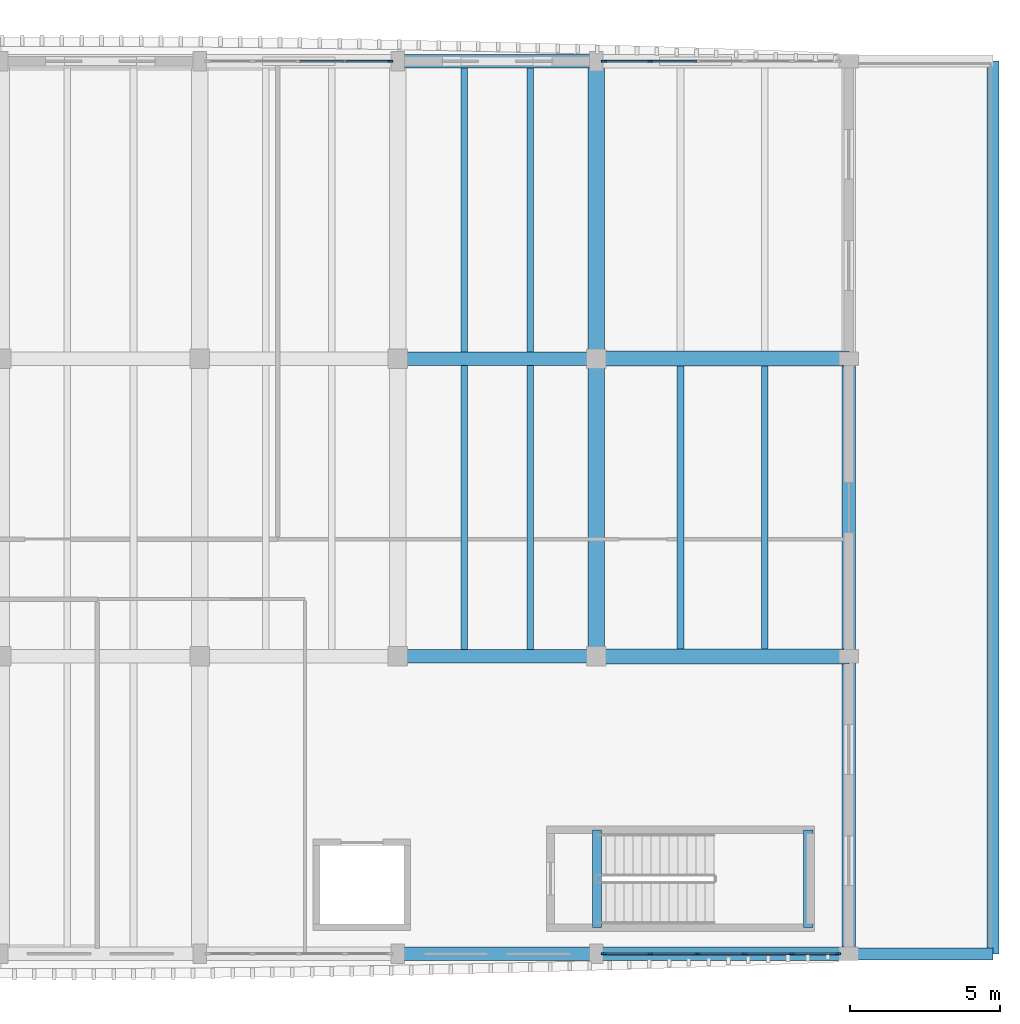
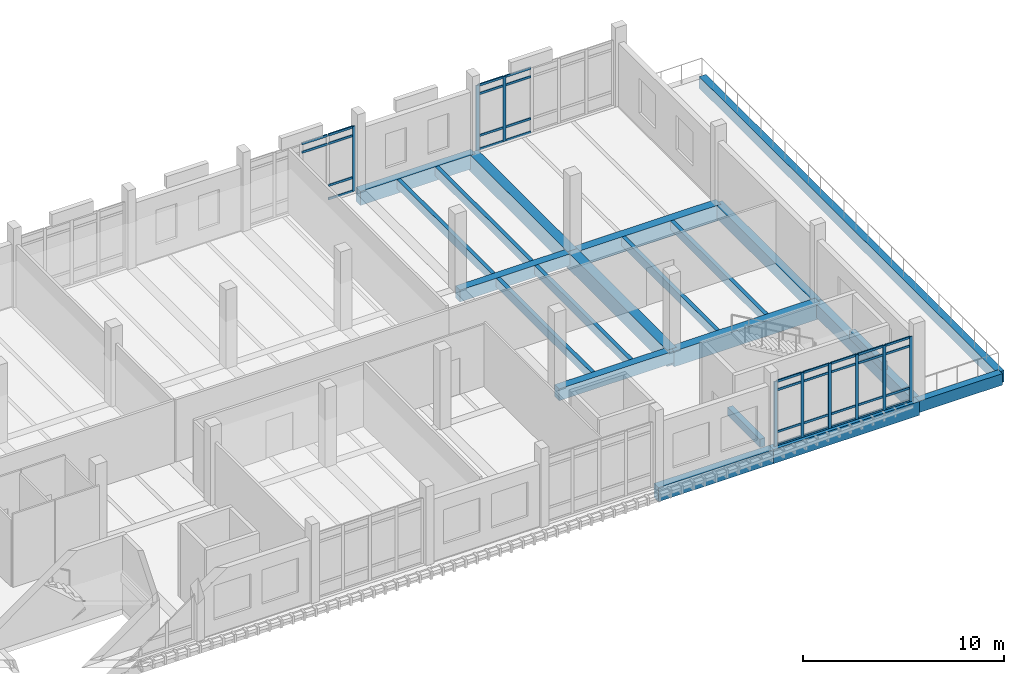
# One storey, part 12 of 39: 43 members, 21 beams, 3 elements without a shape of their own.
"""IFC4 building model written with IfcOpenShell, lengths in metres."""

from ifc_helpers import new_model, si_unit, direction, frame, origin, origin_2d, place, context, subcontext, project, spatial, rectangle, extrude, material, material_profile, profile_set, type_object, element, aggregate, save


model = new_model("IFC4")

# Units and contexts
model_context = context("Model", 3, precision=1e-05, world=origin(), true_north=direction((0.0, 1.0)))
body_context = subcontext(model_context, "Body", "Model", "MODEL_VIEW")
ifc_project = project(units=[si_unit("LENGTHUNIT", "METRE"), si_unit("AREAUNIT", "SQUARE_METRE"), si_unit("VOLUMEUNIT", "CUBIC_METRE"), si_unit("PLANEANGLEUNIT", "RADIAN"), si_unit("MASSUNIT", "GRAM", prefix="KILO")], contexts=[model_context])

# Site, building, storey
site_placement = place(None, origin())
site = spatial("IfcSite", under=ifc_project, at=site_placement, CompositionType="ELEMENT")
building_placement = place(site_placement, origin())
building = spatial("IfcBuilding", under=site, at=building_placement, Name="Dornvale Research Institute", CompositionType="ELEMENT")
storey_placement = place(building_placement, frame((0.0, 0.0, 24.60009765625)))
storey = spatial("IfcBuildingStorey", under=building, at=storey_placement, Name="L05", CompositionType="ELEMENT", Elevation=24.60009765625)

# Beams
ifc_material_1 = material(Name="Concrete f'c 45 MPa (C35/45)", Category="concrete")
ifc_material_profile_1 = material_profile(ifc_material_1, rectangle(XDim=0.300048828125, YDim=0.5, at=origin_2d()), Name="RC 300x500")
ifc_profile_set_1 = profile_set([ifc_material_profile_1], Name="Concrete f'c 45 MPa (C35/45)")
beam_type_1 = type_object("IfcBeamType", Name="Beam_RC300x500_Trim", PredefinedType="BEAM", material=ifc_profile_set_1)
for number, where, z_axis, x_axis, name in (
    (1, (165.02001953125, 93.280029296875, -0.25), (0.0, 1.0, 0.0), (-1.0, 0.0, 0.0), "L05 ST-4 stair landing trimmer beam #67"),
    (2, (172.050048828125, 93.280029296875, 1.949951171875), (0.0, 1.0, 0.0), (-1.0, 0.0, 0.0), "L05 ST-4 half-landing support beam #76"),
):
    element("IfcBeam", number, at=place(storey_placement, frame(where, z_axis=z_axis, x_axis=x_axis)), inside=storey, type_object=beam_type_1, Name=name, PredefinedType="BEAM", context=body_context, shape_type="SweptSolid", body=[
        extrude(rectangle(XDim=0.300048828125, YDim=0.5, at=origin_2d()), origin(), (0.0, 0.0, 1.0), 3.239990234375),
    ])
ifc_material_2 = material(Name="Concrete f'c 45 MPa (C35/45)", Category="concrete")
ifc_material_profile_2 = material_profile(ifc_material_2, rectangle(XDim=0.449951171875, YDim=0.715087890625, at=origin_2d()), Name="RC 450x715")
ifc_profile_set_2 = profile_set([ifc_material_profile_2], Name="Concrete f'c 45 MPa (C35/45)")
beam_type_2 = type_object("IfcBeamType", Name="Beam_RC450x715_Lab", PredefinedType="BEAM", material=ifc_profile_set_2)
for number, where, z_axis, x_axis, name in (
    (3, (158.39990234375, 102.300048828125, -0.357666015625), (1.0, 0.0, 0.0), (0.0, 1.0, 0.0), "L05 primary girder #1395"),
    (4, (158.39990234375, 112.199951171875, -0.357666015625), (1.0, 0.0, 0.0), (0.0, 1.0, 0.0), "L05 primary girder #1403"),
):
    element("IfcBeam", number, at=place(storey_placement, frame(where, z_axis=z_axis, x_axis=x_axis)), inside=storey, type_object=beam_type_2, Name=name, PredefinedType="BEAM", context=body_context, shape_type="SweptSolid", body=[
        extrude(rectangle(XDim=0.449951171875, YDim=0.715087890625, at=origin_2d()), origin(), (0.0, 0.0, 1.0), 6.60009765625),
    ])
ifc_material_3 = material(Name="Concrete f'c 45 MPa (C35/45)", Category="concrete")
ifc_material_profile_3 = material_profile(ifc_material_3, rectangle(XDim=0.5, YDim=0.949951171875, at=origin_2d()), Name="RC 500x950")
ifc_profile_set_3 = profile_set([ifc_material_profile_3], Name="Concrete f'c 45 MPa (C35/45)")
beam_type_3 = type_object("IfcBeamType", Name="Beam_RC500x950_Girder", PredefinedType="BEAM", material=ifc_profile_set_3)
for number, where, z_axis, x_axis, name in (
    (5, (165.0, 102.300048828125, -0.47509765625), (1.0, 0.0, 0.0), (0.0, 1.0, 0.0), "L05 primary girder #1396"),
    (6, (165.0, 112.199951171875, -0.47509765625), (1.0, 0.0, 0.0), (0.0, 1.0, 0.0), "L05 primary girder #1404"),
):
    element("IfcBeam", number, at=place(storey_placement, frame(where, z_axis=z_axis, x_axis=x_axis)), inside=storey, type_object=beam_type_3, Name=name, PredefinedType="BEAM", context=body_context, shape_type="SweptSolid", body=[
        extrude(rectangle(XDim=0.5, YDim=0.949951171875, at=origin_2d()), origin(), (0.0, 0.0, 1.0), 8.39990234375),
    ])
ifc_material_4 = material(Name="Concrete f'c 45 MPa (C35/45)", Category="concrete")
ifc_material_profile_4 = material_profile(ifc_material_4, rectangle(XDim=0.550048828125, YDim=1.0, at=origin_2d()), Name="RC 550x1000")
ifc_profile_set_4 = profile_set([ifc_material_profile_4], Name="Concrete f'c 45 MPa (C35/45)")
beam_type_4 = type_object("IfcBeamType", Name="Beam_RC550x1000_Girder", PredefinedType="BEAM", material=ifc_profile_set_4)
beam_1_placement = place(storey_placement, frame((165.0, 102.300048828125, -0.5), z_axis=(0.0, 1.0, 0.0), x_axis=(-1.0, 0.0, 0.0)))
element("IfcBeam", 7, at=beam_1_placement, inside=storey, type_object=beam_type_4, Name="L05 transverse girder #1432", PredefinedType="BEAM", context=body_context, shape_type="SweptSolid", body=[
    extrude(rectangle(XDim=0.550048828125, YDim=1.0, at=origin_2d()), origin(), (0.0, 0.0, 1.0), 9.89990234375),
])
beam_2_placement = place(storey_placement, frame((165.0, 112.199951171875, -0.5), z_axis=(0.0, 1.0, 0.0), x_axis=(-1.0, 0.0, 0.0)))
element("IfcBeam", 8, at=beam_2_placement, inside=storey, type_object=beam_type_4, Name="L05 transverse girder #1433", PredefinedType="BEAM", context=body_context, shape_type="SweptSolid", body=[
    extrude(rectangle(XDim=0.550048828125, YDim=1.0, at=origin_2d()), origin(), (0.0, 0.0, 1.0), 9.900146484375),
])
ifc_material_5 = material(Name="Concrete f'c 45 MPa (C35/45)", Category="concrete")
ifc_material_profile_5 = material_profile(ifc_material_5, rectangle(XDim=0.219970703125, YDim=0.534912109375, at=origin_2d()), Name="RC 220x535")
ifc_profile_set_5 = profile_set([ifc_material_profile_5], Name="Concrete f'c 45 MPa (C35/45)")
beam_type_5 = type_object("IfcBeamType", Name="Joist_RC220x535_Waffle", PredefinedType="JOIST", material=ifc_profile_set_5)
for number, where, z_axis, x_axis, name in (
    (9, (160.60009765625, 102.52490234375, -0.267578125), (0.0, 1.0, 0.0), (-1.0, 0.0, 0.0), "L05 laboratory waffle joist #686"),
    (10, (162.800048828125, 102.52490234375, -0.267578125), (0.0, 1.0, 0.0), (-1.0, 0.0, 0.0), "L05 laboratory waffle joist #687"),
):
    element("IfcBeam", number, at=place(storey_placement, frame(where, z_axis=z_axis, x_axis=x_axis)), inside=storey, type_object=beam_type_5, Name=name, PredefinedType="JOIST", context=body_context, shape_type="SweptSolid", body=[
        extrude(rectangle(XDim=0.219970703125, YDim=0.534912109375, at=origin_2d()), origin(), (0.0, 0.0, 1.0), 9.4501953125),
    ])
for number, where, z_axis, x_axis, name in (
    (11, (160.60009765625, 112.425048828125, -0.267578125), (0.0, 1.0, 0.0), (-1.0, 0.0, 0.0), "L05 laboratory waffle joist #688"),
    (12, (162.800048828125, 112.425048828125, -0.267578125), (0.0, 1.0, 0.0), (-1.0, 0.0, 0.0), "L05 laboratory waffle joist #689"),
):
    element("IfcBeam", number, at=place(storey_placement, frame(where, z_axis=z_axis, x_axis=x_axis)), inside=storey, type_object=beam_type_5, Name=name, PredefinedType="JOIST", context=body_context, shape_type="SweptSolid", body=[
        extrude(rectangle(XDim=0.219970703125, YDim=0.534912109375, at=origin_2d()), origin(), (0.0, 0.0, 1.0), 9.449951171875),
    ])
for number, where, z_axis, x_axis, name in (
    (13, (167.800048828125, 102.550048828125, -0.267578125), (0.0, 1.0, 0.0), (-1.0, 0.0, 0.0), "L05 laboratory waffle joist #690"),
    (14, (170.60009765625, 102.550048828125, -0.267578125), (0.0, 1.0, 0.0), (-1.0, 0.0, 0.0), "L05 laboratory waffle joist #691"),
):
    element("IfcBeam", number, at=place(storey_placement, frame(where, z_axis=z_axis, x_axis=x_axis)), inside=storey, type_object=beam_type_5, Name=name, PredefinedType="JOIST", context=body_context, shape_type="SweptSolid", body=[
        extrude(rectangle(XDim=0.219970703125, YDim=0.534912109375, at=origin_2d()), origin(), (0.0, 0.0, 1.0), 9.39990234375),
    ])

# Curtain wall, member
ifc_material_6 = material(Name="Low-E Argon Double Insulating Glazing Unit", Category="glass")
curtain_wall_type_1 = type_object("IfcCurtainWallType", Name="UnitisedCurtainWall_V4_6150x3950", PredefinedType="USERDEFINED", material=ifc_material_6)
curtain_wall_1_placement = place(storey_placement, origin())
curtain_wall_1 = element("IfcCurtainWall", 15, at=curtain_wall_1_placement, inside=storey, type_object=curtain_wall_type_1, Name="L05 V4 unitised curtain wall CW-15 #111", ObjectType="UNITISED CURTAIN WALL", PredefinedType="USERDEFINED")
ifc_material_7 = material(Name="Anodized Aluminum AA 6063-T6 Thermally Broken Frame", Category="aluminium")
ifc_material_profile_6 = material_profile(ifc_material_7, rectangle(XDim=0.06494140625, YDim=0.179931640625, at=origin_2d()), Name="ALU MULLION 65x180")
ifc_profile_set_6 = profile_set([ifc_material_profile_6], Name="Anodized Aluminum AA 6063-T6 Thermally Broken Frame")
member_type_1 = type_object("IfcMemberType", Name="Mullion_CW_65x180", PredefinedType="MULLION", material=ifc_profile_set_6)
member_1_placement = place(storey_placement, frame((158.142578125, 122.10009765625, 0.0), z_axis=(0.0, 0.0, 1.0), x_axis=(0.0, 1.0, 0.0)))
member_1 = element("IfcMember", 16, at=member_1_placement, type_object=member_type_1, Name="CW-15 mullion 5", PredefinedType="MULLION", context=body_context, shape_type="SweptSolid", body=[
    extrude(rectangle(XDim=0.06494140625, YDim=0.179931640625, at=origin_2d()), origin(), (0.0, 0.0, 1.0), 3.949951171875),
])

# Curtain wall, members
ifc_material_8 = material(Name="Low-E Argon Double Insulating Glazing Unit", Category="glass")
curtain_wall_type_2 = type_object("IfcCurtainWallType", Name="UnitisedCurtainWall_V4_7850x3950", PredefinedType="USERDEFINED", material=ifc_material_8)
curtain_wall_2_placement = place(storey_placement, origin())
curtain_wall_2 = element("IfcCurtainWall", 17, at=curtain_wall_2_placement, inside=storey, type_object=curtain_wall_type_2, Name="L05 V4 unitised curtain wall CW-19 #112", ObjectType="UNITISED CURTAIN WALL", PredefinedType="USERDEFINED")
member_2_placement = place(storey_placement, frame((165.257568359375, 122.10009765625, 0.0), z_axis=(0.0, 0.0, 1.0), x_axis=(0.0, 1.0, 0.0)))
member_2 = element("IfcMember", 18, at=member_2_placement, type_object=member_type_1, Name="CW-19 mullion 1", PredefinedType="MULLION", context=body_context, shape_type="SweptSolid", body=[
    extrude(rectangle(XDim=0.06494140625, YDim=0.179931640625, at=origin_2d()), origin(), (0.0, 0.0, 1.0), 3.949951171875),
])
member_3_placement = place(storey_placement, frame((166.794921875, 122.10009765625, 0.0), z_axis=(0.0, 0.0, 1.0), x_axis=(0.0, 1.0, 0.0)))
member_3 = element("IfcMember", 19, at=member_3_placement, type_object=member_type_1, Name="CW-19 mullion 2", PredefinedType="MULLION", context=body_context, shape_type="SweptSolid", body=[
    extrude(rectangle(XDim=0.06494140625, YDim=0.179931640625, at=origin_2d()), origin(), (0.0, 0.0, 1.0), 3.949951171875),
])

curtain_wall_3_placement = place(storey_placement, origin())
curtain_wall_3 = element("IfcCurtainWall", 20, at=curtain_wall_3_placement, inside=storey, type_object=curtain_wall_type_2, Name="L05 V4 unitised curtain wall CW-19 #113", ObjectType="UNITISED CURTAIN WALL", PredefinedType="USERDEFINED")
member_4_placement = place(storey_placement, frame((173.04248046875, 92.39990234375, 0.0), z_axis=(0.0, 0.0, 1.0), x_axis=(0.0, -1.0, 0.0)))
member_4 = element("IfcMember", 21, at=member_4_placement, type_object=member_type_1, Name="CW-19 mullion 1", PredefinedType="MULLION", context=body_context, shape_type="SweptSolid", body=[
    extrude(rectangle(XDim=0.06494140625, YDim=0.179931640625, at=origin_2d()), origin(), (0.0, 0.0, 1.0), 3.949951171875),
])
member_5_placement = place(storey_placement, frame((171.5048828125, 92.39990234375, 0.0), z_axis=(0.0, 0.0, 1.0), x_axis=(0.0, -1.0, 0.0)))
member_5 = element("IfcMember", 22, at=member_5_placement, type_object=member_type_1, Name="CW-19 mullion 2", PredefinedType="MULLION", context=body_context, shape_type="SweptSolid", body=[
    extrude(rectangle(XDim=0.06494140625, YDim=0.179931640625, at=origin_2d()), origin(), (0.0, 0.0, 1.0), 3.949951171875),
])
member_6_placement = place(storey_placement, frame((169.93505859375, 92.39990234375, 0.0), z_axis=(0.0, 0.0, 1.0), x_axis=(0.0, -1.0, 0.0)))
member_6 = element("IfcMember", 23, at=member_6_placement, type_object=member_type_1, Name="CW-19 mullion 3", PredefinedType="MULLION", context=body_context, shape_type="SweptSolid", body=[
    extrude(rectangle(XDim=0.06494140625, YDim=0.179931640625, at=origin_2d()), origin(), (0.0, 0.0, 1.0), 3.949951171875),
])
member_7_placement = place(storey_placement, frame((168.364990234375, 92.39990234375, 0.0), z_axis=(0.0, 0.0, 1.0), x_axis=(0.0, -1.0, 0.0)))
member_7 = element("IfcMember", 24, at=member_7_placement, type_object=member_type_1, Name="CW-19 mullion 4", PredefinedType="MULLION", context=body_context, shape_type="SweptSolid", body=[
    extrude(rectangle(XDim=0.06494140625, YDim=0.179931640625, at=origin_2d()), origin(), (0.0, 0.0, 1.0), 3.949951171875),
])
member_8_placement = place(storey_placement, frame((166.794921875, 92.39990234375, 0.0), z_axis=(0.0, 0.0, 1.0), x_axis=(0.0, -1.0, 0.0)))
member_8 = element("IfcMember", 25, at=member_8_placement, type_object=member_type_1, Name="CW-19 mullion 5", PredefinedType="MULLION", context=body_context, shape_type="SweptSolid", body=[
    extrude(rectangle(XDim=0.06494140625, YDim=0.179931640625, at=origin_2d()), origin(), (0.0, 0.0, 1.0), 3.949951171875),
])
member_9_placement = place(storey_placement, frame((165.257568359375, 92.39990234375, 0.0), z_axis=(0.0, 0.0, 1.0), x_axis=(0.0, -1.0, 0.0)))
member_9 = element("IfcMember", 26, at=member_9_placement, type_object=member_type_1, Name="CW-19 mullion 6", PredefinedType="MULLION", context=body_context, shape_type="SweptSolid", body=[
    extrude(rectangle(XDim=0.06494140625, YDim=0.179931640625, at=origin_2d()), origin(), (0.0, 0.0, 1.0), 3.949951171875),
])

# Beams
ifc_material_9 = material(Name="Concrete f'c 45 MPa (C35/45)", Category="concrete")
ifc_material_profile_7 = material_profile(ifc_material_9, rectangle(XDim=0.39990234375, YDim=0.699951171875, at=origin_2d()), Name="RC 400x700")
ifc_profile_set_7 = profile_set([ifc_material_profile_7], Name="Concrete f'c 45 MPa (C35/45)")
beam_type_6 = type_object("IfcBeamType", Name="Spandrel_RC400x700_Ext", PredefinedType="SPANDREL", material=ifc_profile_set_7)
beam_3_placement = place(storey_placement, frame((173.39990234375, 92.39990234375, -0.35009765625), z_axis=(1.0, 0.0, 0.0), x_axis=(0.0, 1.0, 0.0)))
element("IfcBeam", 27, at=beam_3_placement, inside=storey, type_object=beam_type_6, Name="L05 terrace edge beam #1437", PredefinedType="SPANDREL", context=body_context, shape_type="SweptSolid", body=[
    extrude(rectangle(XDim=0.39990234375, YDim=0.699951171875, at=origin_2d()), origin(), (0.0, 0.0, 1.0), 4.800048828125),
])
beam_4_placement = place(storey_placement, frame((178.199951171875, 92.39990234375, -0.35009765625), z_axis=(0.0, 1.0, 0.0), x_axis=(-1.0, 0.0, 0.0)))
element("IfcBeam", 28, at=beam_4_placement, inside=storey, type_object=beam_type_6, Name="L05 terrace outer beam #1439", PredefinedType="SPANDREL", context=body_context, shape_type="SweptSolid", body=[
    extrude(rectangle(XDim=0.39990234375, YDim=0.699951171875, at=origin_2d()), origin(), (0.0, 0.0, 1.0), 29.7001953125),
])
ifc_material_10 = material(Name="Concrete f'c 45 MPa (C35/45)", Category="concrete")
ifc_material_profile_8 = material_profile(ifc_material_10, rectangle(XDim=0.449951171875, YDim=0.800048828125, at=origin_2d()), Name="RC 450x800")
ifc_profile_set_8 = profile_set([ifc_material_profile_8], Name="Concrete f'c 45 MPa (C35/45)")
beam_type_7 = type_object("IfcBeamType", Name="Spandrel_RC450x800_Ext", PredefinedType="SPANDREL", material=ifc_profile_set_8)
beam_5_placement = place(storey_placement, frame((173.39990234375, 92.39990234375, -0.400146484375), z_axis=(0.0, 1.0, 0.0), x_axis=(-1.0, 0.0, 0.0)))
element("IfcBeam", 29, at=beam_5_placement, inside=storey, type_object=beam_type_7, Name="L05 perimeter spandrel #1434", PredefinedType="SPANDREL", context=body_context, shape_type="SweptSolid", body=[
    extrude(rectangle(XDim=0.449951171875, YDim=0.800048828125, at=origin_2d()), origin(), (0.0, 0.0, 1.0), 9.900146484375),
])
beam_6_placement = place(storey_placement, frame((173.39990234375, 102.300048828125, -0.400146484375), z_axis=(0.0, 1.0, 0.0), x_axis=(-1.0, 0.0, 0.0)))
element("IfcBeam", 30, at=beam_6_placement, inside=storey, type_object=beam_type_7, Name="L05 perimeter spandrel #1435", PredefinedType="SPANDREL", context=body_context, shape_type="SweptSolid", body=[
    extrude(rectangle(XDim=0.449951171875, YDim=0.800048828125, at=origin_2d()), origin(), (0.0, 0.0, 1.0), 9.89990234375),
])
ifc_material_11 = material(Name="Concrete f'c 45 MPa (C35/45)", Category="concrete")
ifc_material_profile_9 = material_profile(ifc_material_11, rectangle(XDim=0.449951171875, YDim=0.85009765625, at=origin_2d()), Name="RC 450x850")
ifc_profile_set_9 = profile_set([ifc_material_profile_9], Name="Concrete f'c 45 MPa (C35/45)")
beam_type_8 = type_object("IfcBeamType", Name="Spandrel_RC450x850_Ext", PredefinedType="SPANDREL", material=ifc_profile_set_9)
beam_7_placement = place(storey_placement, frame((158.39990234375, 92.39990234375, -0.425048828125), z_axis=(1.0, 0.0, 0.0), x_axis=(0.0, 1.0, 0.0)))
element("IfcBeam", 31, at=beam_7_placement, inside=storey, type_object=beam_type_8, Name="L05 perimeter spandrel #1387", PredefinedType="SPANDREL", context=body_context, shape_type="SweptSolid", body=[
    extrude(rectangle(XDim=0.449951171875, YDim=0.85009765625, at=origin_2d()), origin(), (0.0, 0.0, 1.0), 6.60009765625),
])
beam_8_placement = place(storey_placement, frame((165.0, 92.39990234375, -0.425048828125), z_axis=(1.0, 0.0, 0.0), x_axis=(0.0, 1.0, 0.0)))
element("IfcBeam", 32, at=beam_8_placement, inside=storey, type_object=beam_type_8, Name="L05 perimeter spandrel #1388", PredefinedType="SPANDREL", context=body_context, shape_type="SweptSolid", body=[
    extrude(rectangle(XDim=0.449951171875, YDim=0.85009765625, at=origin_2d()), origin(), (0.0, 0.0, 1.0), 8.39990234375),
])
beam_9_placement = place(storey_placement, frame((158.39990234375, 122.10009765625, -0.425048828125), z_axis=(1.0, 0.0, 0.0), x_axis=(0.0, 1.0, 0.0)))
element("IfcBeam", 33, at=beam_9_placement, inside=storey, type_object=beam_type_8, Name="L05 perimeter spandrel #1411", PredefinedType="SPANDREL", context=body_context, shape_type="SweptSolid", body=[
    extrude(rectangle(XDim=0.449951171875, YDim=0.85009765625, at=origin_2d()), origin(), (0.0, 0.0, 1.0), 6.60009765625),
])

# Member
ifc_material_12 = material(Name="Anodized Aluminum AA 6063-T6 Thermally Broken Frame", Category="aluminium")
ifc_material_profile_10 = material_profile(ifc_material_12, rectangle(XDim=0.06494140625, YDim=0.135009765625, at=origin_2d()), Name="ALU TRANSOM 65x135")
ifc_profile_set_10 = profile_set([ifc_material_profile_10], Name="Anodized Aluminum AA 6063-T6 Thermally Broken Frame")
member_type_2 = type_object("IfcMemberType", Name="Transom_CW_65x135", PredefinedType="USERDEFINED", material=ifc_profile_set_10)
member_10_placement = place(storey_placement, frame((155.132568359375, 122.10009765625, 3.39990234375), z_axis=(1.0, 0.0, 0.0), x_axis=(0.0, 1.0, 0.0)))
member_10 = element("IfcMember", 34, at=member_10_placement, type_object=member_type_2, Name="CW-15 transom 3.3", ObjectType="TRANSOM", PredefinedType="USERDEFINED", context=body_context, shape_type="SweptSolid", body=[
    extrude(rectangle(XDim=0.06494140625, YDim=0.135009765625, at=origin_2d()), origin(), (0.0, 0.0, 1.0), 1.472412109375),
])

member_11_placement = place(storey_placement, frame((155.132568359375, 122.10009765625, 3.91748046875), z_axis=(1.0, 0.0, 0.0), x_axis=(0.0, 1.0, 0.0)))
member_11 = element("IfcMember", 35, at=member_11_placement, type_object=member_type_2, Name="CW-15 transom 3.4", ObjectType="TRANSOM", PredefinedType="USERDEFINED", context=body_context, shape_type="SweptSolid", body=[
    extrude(rectangle(XDim=0.06494140625, YDim=0.135009765625, at=origin_2d()), origin(), (0.0, 0.0, 1.0), 1.472412109375),
])

member_12_placement = place(storey_placement, frame((156.669921875, 122.10009765625, 0.032470703125), z_axis=(1.0, 0.0, 0.0), x_axis=(0.0, 1.0, 0.0)))
member_12 = element("IfcMember", 36, at=member_12_placement, type_object=member_type_2, Name="CW-15 transom 4.1", ObjectType="TRANSOM", PredefinedType="USERDEFINED", context=body_context, shape_type="SweptSolid", body=[
    extrude(rectangle(XDim=0.06494140625, YDim=0.135009765625, at=origin_2d()), origin(), (0.0, 0.0, 1.0), 1.440185546875),
])

member_13_placement = place(storey_placement, frame((156.669921875, 122.10009765625, 0.849853515625), z_axis=(1.0, 0.0, 0.0), x_axis=(0.0, 1.0, 0.0)))
member_13 = element("IfcMember", 37, at=member_13_placement, type_object=member_type_2, Name="CW-15 transom 4.2", ObjectType="TRANSOM", PredefinedType="USERDEFINED", context=body_context, shape_type="SweptSolid", body=[
    extrude(rectangle(XDim=0.06494140625, YDim=0.135009765625, at=origin_2d()), origin(), (0.0, 0.0, 1.0), 1.440185546875),
])

member_14_placement = place(storey_placement, frame((156.669921875, 122.10009765625, 3.39990234375), z_axis=(1.0, 0.0, 0.0), x_axis=(0.0, 1.0, 0.0)))
member_14 = element("IfcMember", 38, at=member_14_placement, type_object=member_type_2, Name="CW-15 transom 4.3", ObjectType="TRANSOM", PredefinedType="USERDEFINED", context=body_context, shape_type="SweptSolid", body=[
    extrude(rectangle(XDim=0.06494140625, YDim=0.135009765625, at=origin_2d()), origin(), (0.0, 0.0, 1.0), 1.440185546875),
])

member_15_placement = place(storey_placement, frame((156.669921875, 122.10009765625, 3.91748046875), z_axis=(1.0, 0.0, 0.0), x_axis=(0.0, 1.0, 0.0)))
member_15 = element("IfcMember", 39, at=member_15_placement, type_object=member_type_2, Name="CW-15 transom 4.4", ObjectType="TRANSOM", PredefinedType="USERDEFINED", context=body_context, shape_type="SweptSolid", body=[
    extrude(rectangle(XDim=0.06494140625, YDim=0.135009765625, at=origin_2d()), origin(), (0.0, 0.0, 1.0), 1.440185546875),
])

aggregate(curtain_wall_1, [member_1, member_10, member_11, member_12, member_13, member_14, member_15])

member_16_placement = place(storey_placement, frame((165.2900390625, 122.10009765625, 0.032470703125), z_axis=(1.0, 0.0, 0.0), x_axis=(0.0, 1.0, 0.0)))
member_16 = element("IfcMember", 40, at=member_16_placement, type_object=member_type_2, Name="CW-19 transom 1.1", ObjectType="TRANSOM", PredefinedType="USERDEFINED", context=body_context, shape_type="SweptSolid", body=[
    extrude(rectangle(XDim=0.06494140625, YDim=0.135009765625, at=origin_2d()), origin(), (0.0, 0.0, 1.0), 1.472412109375),
])

member_17_placement = place(storey_placement, frame((165.2900390625, 122.10009765625, 0.849853515625), z_axis=(1.0, 0.0, 0.0), x_axis=(0.0, 1.0, 0.0)))
member_17 = element("IfcMember", 41, at=member_17_placement, type_object=member_type_2, Name="CW-19 transom 1.2", ObjectType="TRANSOM", PredefinedType="USERDEFINED", context=body_context, shape_type="SweptSolid", body=[
    extrude(rectangle(XDim=0.06494140625, YDim=0.135009765625, at=origin_2d()), origin(), (0.0, 0.0, 1.0), 1.472412109375),
])

member_18_placement = place(storey_placement, frame((165.2900390625, 122.10009765625, 3.39990234375), z_axis=(1.0, 0.0, 0.0), x_axis=(0.0, 1.0, 0.0)))
member_18 = element("IfcMember", 42, at=member_18_placement, type_object=member_type_2, Name="CW-19 transom 1.3", ObjectType="TRANSOM", PredefinedType="USERDEFINED", context=body_context, shape_type="SweptSolid", body=[
    extrude(rectangle(XDim=0.06494140625, YDim=0.135009765625, at=origin_2d()), origin(), (0.0, 0.0, 1.0), 1.472412109375),
])

member_19_placement = place(storey_placement, frame((165.2900390625, 122.10009765625, 3.91748046875), z_axis=(1.0, 0.0, 0.0), x_axis=(0.0, 1.0, 0.0)))
member_19 = element("IfcMember", 43, at=member_19_placement, type_object=member_type_2, Name="CW-19 transom 1.4", ObjectType="TRANSOM", PredefinedType="USERDEFINED", context=body_context, shape_type="SweptSolid", body=[
    extrude(rectangle(XDim=0.06494140625, YDim=0.135009765625, at=origin_2d()), origin(), (0.0, 0.0, 1.0), 1.472412109375),
])

member_20_placement = place(storey_placement, frame((166.827392578125, 122.10009765625, 0.032470703125), z_axis=(1.0, 0.0, 0.0), x_axis=(0.0, 1.0, 0.0)))
member_20 = element("IfcMember", 44, at=member_20_placement, type_object=member_type_2, Name="CW-19 transom 2.1", ObjectType="TRANSOM", PredefinedType="USERDEFINED", context=body_context, shape_type="SweptSolid", body=[
    extrude(rectangle(XDim=0.06494140625, YDim=0.135009765625, at=origin_2d()), origin(), (0.0, 0.0, 1.0), 1.505126953125),
])

member_21_placement = place(storey_placement, frame((166.827392578125, 122.10009765625, 0.849853515625), z_axis=(1.0, 0.0, 0.0), x_axis=(0.0, 1.0, 0.0)))
member_21 = element("IfcMember", 45, at=member_21_placement, type_object=member_type_2, Name="CW-19 transom 2.2", ObjectType="TRANSOM", PredefinedType="USERDEFINED", context=body_context, shape_type="SweptSolid", body=[
    extrude(rectangle(XDim=0.06494140625, YDim=0.135009765625, at=origin_2d()), origin(), (0.0, 0.0, 1.0), 1.505126953125),
])

member_22_placement = place(storey_placement, frame((166.827392578125, 122.10009765625, 3.39990234375), z_axis=(1.0, 0.0, 0.0), x_axis=(0.0, 1.0, 0.0)))
member_22 = element("IfcMember", 46, at=member_22_placement, type_object=member_type_2, Name="CW-19 transom 2.3", ObjectType="TRANSOM", PredefinedType="USERDEFINED", context=body_context, shape_type="SweptSolid", body=[
    extrude(rectangle(XDim=0.06494140625, YDim=0.135009765625, at=origin_2d()), origin(), (0.0, 0.0, 1.0), 1.505126953125),
])

member_23_placement = place(storey_placement, frame((166.827392578125, 122.10009765625, 3.91748046875), z_axis=(1.0, 0.0, 0.0), x_axis=(0.0, 1.0, 0.0)))
member_23 = element("IfcMember", 47, at=member_23_placement, type_object=member_type_2, Name="CW-19 transom 2.4", ObjectType="TRANSOM", PredefinedType="USERDEFINED", context=body_context, shape_type="SweptSolid", body=[
    extrude(rectangle(XDim=0.06494140625, YDim=0.135009765625, at=origin_2d()), origin(), (0.0, 0.0, 1.0), 1.505126953125),
])

aggregate(curtain_wall_2, [member_2, member_3, member_16, member_17, member_18, member_19, member_20, member_21, member_22, member_23])

member_24_placement = place(storey_placement, frame((173.010009765625, 92.39990234375, 0.032470703125), z_axis=(-1.0, 0.0, 0.0), x_axis=(0.0, -1.0, 0.0)))
member_24 = element("IfcMember", 48, at=member_24_placement, type_object=member_type_2, Name="CW-19 transom 1.1", ObjectType="TRANSOM", PredefinedType="USERDEFINED", context=body_context, shape_type="SweptSolid", body=[
    extrude(rectangle(XDim=0.06494140625, YDim=0.135009765625, at=origin_2d()), origin(), (0.0, 0.0, 1.0), 1.472412109375),
])

member_25_placement = place(storey_placement, frame((173.010009765625, 92.39990234375, 0.849853515625), z_axis=(-1.0, 0.0, 0.0), x_axis=(0.0, -1.0, 0.0)))
member_25 = element("IfcMember", 49, at=member_25_placement, type_object=member_type_2, Name="CW-19 transom 1.2", ObjectType="TRANSOM", PredefinedType="USERDEFINED", context=body_context, shape_type="SweptSolid", body=[
    extrude(rectangle(XDim=0.06494140625, YDim=0.135009765625, at=origin_2d()), origin(), (0.0, 0.0, 1.0), 1.472412109375),
])

member_26_placement = place(storey_placement, frame((173.010009765625, 92.39990234375, 3.39990234375), z_axis=(-1.0, 0.0, 0.0), x_axis=(0.0, -1.0, 0.0)))
member_26 = element("IfcMember", 50, at=member_26_placement, type_object=member_type_2, Name="CW-19 transom 1.3", ObjectType="TRANSOM", PredefinedType="USERDEFINED", context=body_context, shape_type="SweptSolid", body=[
    extrude(rectangle(XDim=0.06494140625, YDim=0.135009765625, at=origin_2d()), origin(), (0.0, 0.0, 1.0), 1.472412109375),
])

member_27_placement = place(storey_placement, frame((173.010009765625, 92.39990234375, 3.91748046875), z_axis=(-1.0, 0.0, 0.0), x_axis=(0.0, -1.0, 0.0)))
member_27 = element("IfcMember", 51, at=member_27_placement, type_object=member_type_2, Name="CW-19 transom 1.4", ObjectType="TRANSOM", PredefinedType="USERDEFINED", context=body_context, shape_type="SweptSolid", body=[
    extrude(rectangle(XDim=0.06494140625, YDim=0.135009765625, at=origin_2d()), origin(), (0.0, 0.0, 1.0), 1.472412109375),
])

member_28_placement = place(storey_placement, frame((171.472412109375, 92.39990234375, 0.032470703125), z_axis=(-1.0, 0.0, 0.0), x_axis=(0.0, -1.0, 0.0)))
member_28 = element("IfcMember", 52, at=member_28_placement, type_object=member_type_2, Name="CW-19 transom 2.1", ObjectType="TRANSOM", PredefinedType="USERDEFINED", context=body_context, shape_type="SweptSolid", body=[
    extrude(rectangle(XDim=0.06494140625, YDim=0.135009765625, at=origin_2d()), origin(), (0.0, 0.0, 1.0), 1.5048828125),
])

member_29_placement = place(storey_placement, frame((171.472412109375, 92.39990234375, 0.849853515625), z_axis=(-1.0, 0.0, 0.0), x_axis=(0.0, -1.0, 0.0)))
member_29 = element("IfcMember", 53, at=member_29_placement, type_object=member_type_2, Name="CW-19 transom 2.2", ObjectType="TRANSOM", PredefinedType="USERDEFINED", context=body_context, shape_type="SweptSolid", body=[
    extrude(rectangle(XDim=0.06494140625, YDim=0.135009765625, at=origin_2d()), origin(), (0.0, 0.0, 1.0), 1.5048828125),
])

member_30_placement = place(storey_placement, frame((171.472412109375, 92.39990234375, 3.39990234375), z_axis=(-1.0, 0.0, 0.0), x_axis=(0.0, -1.0, 0.0)))
member_30 = element("IfcMember", 54, at=member_30_placement, type_object=member_type_2, Name="CW-19 transom 2.3", ObjectType="TRANSOM", PredefinedType="USERDEFINED", context=body_context, shape_type="SweptSolid", body=[
    extrude(rectangle(XDim=0.06494140625, YDim=0.135009765625, at=origin_2d()), origin(), (0.0, 0.0, 1.0), 1.5048828125),
])

member_31_placement = place(storey_placement, frame((171.472412109375, 92.39990234375, 3.91748046875), z_axis=(-1.0, 0.0, 0.0), x_axis=(0.0, -1.0, 0.0)))
member_31 = element("IfcMember", 55, at=member_31_placement, type_object=member_type_2, Name="CW-19 transom 2.4", ObjectType="TRANSOM", PredefinedType="USERDEFINED", context=body_context, shape_type="SweptSolid", body=[
    extrude(rectangle(XDim=0.06494140625, YDim=0.135009765625, at=origin_2d()), origin(), (0.0, 0.0, 1.0), 1.5048828125),
])

member_32_placement = place(storey_placement, frame((169.902587890625, 92.39990234375, 0.032470703125), z_axis=(-1.0, 0.0, 0.0), x_axis=(0.0, -1.0, 0.0)))
member_32 = element("IfcMember", 56, at=member_32_placement, type_object=member_type_2, Name="CW-19 transom 3.1", ObjectType="TRANSOM", PredefinedType="USERDEFINED", context=body_context, shape_type="SweptSolid", body=[
    extrude(rectangle(XDim=0.06494140625, YDim=0.135009765625, at=origin_2d()), origin(), (0.0, 0.0, 1.0), 1.505126953125),
])

member_33_placement = place(storey_placement, frame((169.902587890625, 92.39990234375, 0.849853515625), z_axis=(-1.0, 0.0, 0.0), x_axis=(0.0, -1.0, 0.0)))
member_33 = element("IfcMember", 57, at=member_33_placement, type_object=member_type_2, Name="CW-19 transom 3.2", ObjectType="TRANSOM", PredefinedType="USERDEFINED", context=body_context, shape_type="SweptSolid", body=[
    extrude(rectangle(XDim=0.06494140625, YDim=0.135009765625, at=origin_2d()), origin(), (0.0, 0.0, 1.0), 1.505126953125),
])

member_34_placement = place(storey_placement, frame((169.902587890625, 92.39990234375, 3.39990234375), z_axis=(-1.0, 0.0, 0.0), x_axis=(0.0, -1.0, 0.0)))
member_34 = element("IfcMember", 58, at=member_34_placement, type_object=member_type_2, Name="CW-19 transom 3.3", ObjectType="TRANSOM", PredefinedType="USERDEFINED", context=body_context, shape_type="SweptSolid", body=[
    extrude(rectangle(XDim=0.06494140625, YDim=0.135009765625, at=origin_2d()), origin(), (0.0, 0.0, 1.0), 1.505126953125),
])

member_35_placement = place(storey_placement, frame((169.902587890625, 92.39990234375, 3.91748046875), z_axis=(-1.0, 0.0, 0.0), x_axis=(0.0, -1.0, 0.0)))
member_35 = element("IfcMember", 59, at=member_35_placement, type_object=member_type_2, Name="CW-19 transom 3.4", ObjectType="TRANSOM", PredefinedType="USERDEFINED", context=body_context, shape_type="SweptSolid", body=[
    extrude(rectangle(XDim=0.06494140625, YDim=0.135009765625, at=origin_2d()), origin(), (0.0, 0.0, 1.0), 1.505126953125),
])

member_36_placement = place(storey_placement, frame((168.33251953125, 92.39990234375, 0.032470703125), z_axis=(-1.0, 0.0, 0.0), x_axis=(0.0, -1.0, 0.0)))
member_36 = element("IfcMember", 60, at=member_36_placement, type_object=member_type_2, Name="CW-19 transom 4.1", ObjectType="TRANSOM", PredefinedType="USERDEFINED", context=body_context, shape_type="SweptSolid", body=[
    extrude(rectangle(XDim=0.06494140625, YDim=0.135009765625, at=origin_2d()), origin(), (0.0, 0.0, 1.0), 1.505126953125),
])

member_37_placement = place(storey_placement, frame((168.33251953125, 92.39990234375, 0.849853515625), z_axis=(-1.0, 0.0, 0.0), x_axis=(0.0, -1.0, 0.0)))
member_37 = element("IfcMember", 61, at=member_37_placement, type_object=member_type_2, Name="CW-19 transom 4.2", ObjectType="TRANSOM", PredefinedType="USERDEFINED", context=body_context, shape_type="SweptSolid", body=[
    extrude(rectangle(XDim=0.06494140625, YDim=0.135009765625, at=origin_2d()), origin(), (0.0, 0.0, 1.0), 1.505126953125),
])

member_38_placement = place(storey_placement, frame((168.33251953125, 92.39990234375, 3.39990234375), z_axis=(-1.0, 0.0, 0.0), x_axis=(0.0, -1.0, 0.0)))
member_38 = element("IfcMember", 62, at=member_38_placement, type_object=member_type_2, Name="CW-19 transom 4.3", ObjectType="TRANSOM", PredefinedType="USERDEFINED", context=body_context, shape_type="SweptSolid", body=[
    extrude(rectangle(XDim=0.06494140625, YDim=0.135009765625, at=origin_2d()), origin(), (0.0, 0.0, 1.0), 1.505126953125),
])

member_39_placement = place(storey_placement, frame((168.33251953125, 92.39990234375, 3.91748046875), z_axis=(-1.0, 0.0, 0.0), x_axis=(0.0, -1.0, 0.0)))
member_39 = element("IfcMember", 63, at=member_39_placement, type_object=member_type_2, Name="CW-19 transom 4.4", ObjectType="TRANSOM", PredefinedType="USERDEFINED", context=body_context, shape_type="SweptSolid", body=[
    extrude(rectangle(XDim=0.06494140625, YDim=0.135009765625, at=origin_2d()), origin(), (0.0, 0.0, 1.0), 1.505126953125),
])

member_40_placement = place(storey_placement, frame((166.762451171875, 92.39990234375, 0.032470703125), z_axis=(-1.0, 0.0, 0.0), x_axis=(0.0, -1.0, 0.0)))
member_40 = element("IfcMember", 64, at=member_40_placement, type_object=member_type_2, Name="CW-19 transom 5.1", ObjectType="TRANSOM", PredefinedType="USERDEFINED", context=body_context, shape_type="SweptSolid", body=[
    extrude(rectangle(XDim=0.06494140625, YDim=0.135009765625, at=origin_2d()), origin(), (0.0, 0.0, 1.0), 1.472412109375),
])

member_41_placement = place(storey_placement, frame((166.762451171875, 92.39990234375, 0.849853515625), z_axis=(-1.0, 0.0, 0.0), x_axis=(0.0, -1.0, 0.0)))
member_41 = element("IfcMember", 65, at=member_41_placement, type_object=member_type_2, Name="CW-19 transom 5.2", ObjectType="TRANSOM", PredefinedType="USERDEFINED", context=body_context, shape_type="SweptSolid", body=[
    extrude(rectangle(XDim=0.06494140625, YDim=0.135009765625, at=origin_2d()), origin(), (0.0, 0.0, 1.0), 1.472412109375),
])

member_42_placement = place(storey_placement, frame((166.762451171875, 92.39990234375, 3.39990234375), z_axis=(-1.0, 0.0, 0.0), x_axis=(0.0, -1.0, 0.0)))
member_42 = element("IfcMember", 66, at=member_42_placement, type_object=member_type_2, Name="CW-19 transom 5.3", ObjectType="TRANSOM", PredefinedType="USERDEFINED", context=body_context, shape_type="SweptSolid", body=[
    extrude(rectangle(XDim=0.06494140625, YDim=0.135009765625, at=origin_2d()), origin(), (0.0, 0.0, 1.0), 1.472412109375),
])

member_43_placement = place(storey_placement, frame((166.762451171875, 92.39990234375, 3.91748046875), z_axis=(-1.0, 0.0, 0.0), x_axis=(0.0, -1.0, 0.0)))
member_43 = element("IfcMember", 67, at=member_43_placement, type_object=member_type_2, Name="CW-19 transom 5.4", ObjectType="TRANSOM", PredefinedType="USERDEFINED", context=body_context, shape_type="SweptSolid", body=[
    extrude(rectangle(XDim=0.06494140625, YDim=0.135009765625, at=origin_2d()), origin(), (0.0, 0.0, 1.0), 1.472412109375),
])

aggregate(curtain_wall_3, [member_4, member_5, member_6, member_7, member_8, member_9, member_24, member_25, member_26, member_27, member_28, member_29, member_30, member_31, member_32, member_33, member_34, member_35, member_36, member_37, member_38, member_39, member_40, member_41, member_42, member_43])

save(model, "model.ifc")
